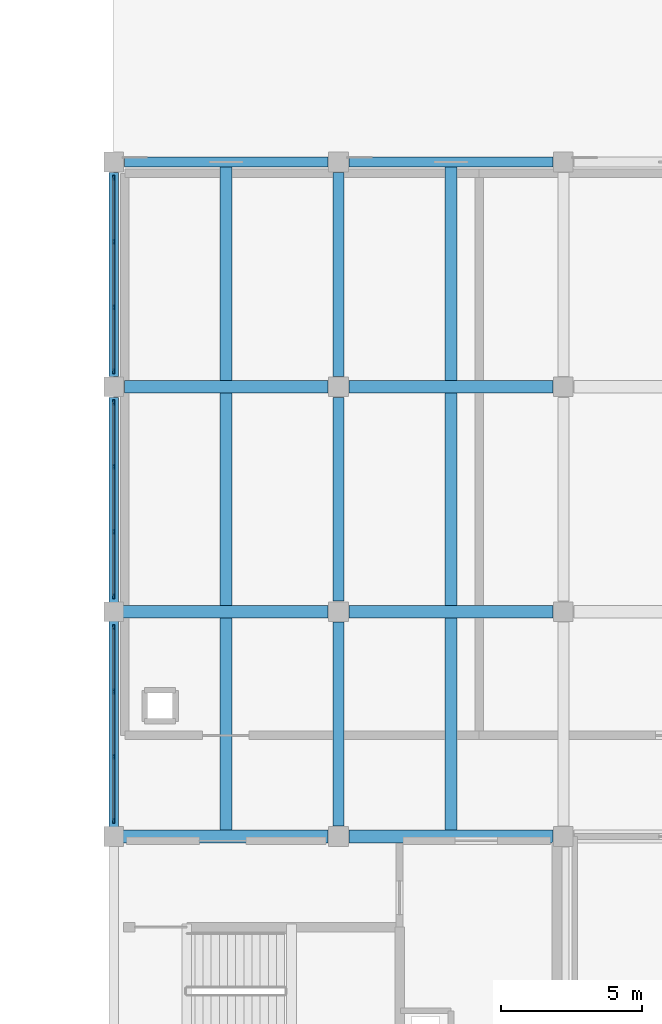
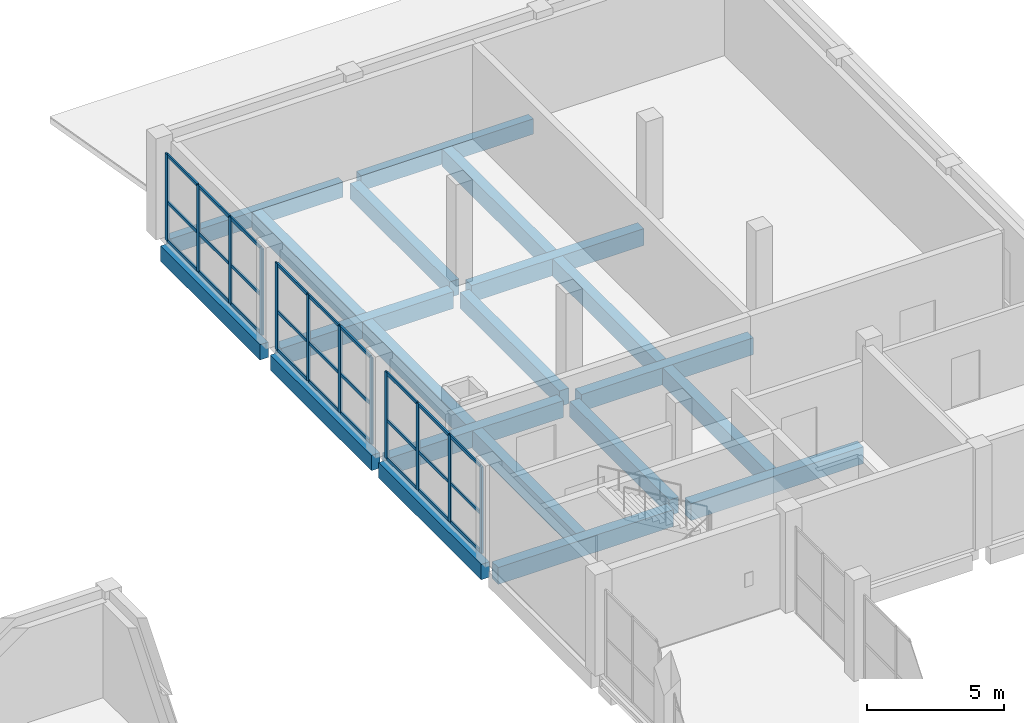
# One storey, part 18 of 45: 39 members, 20 beams, 3 elements without a shape of their own.
"""IFC4 building model written with IfcOpenShell, lengths in metres."""

import ifcopenshell
import ifcopenshell.guid

model = None  # the IFC model being written
_history = None  # IfcOwnerHistory: only IFC2X3 demands one
_inside = {}  # id of a spatial element -> (the spatial element, [elements in it])
_under = {}  # id of a project, library or spatial element -> (it, [spatial elements below it])
_declared = {}  # id of a project -> (the project, [libraries it declares])
_typed = {}  # id of a type object -> (the type object, [elements of that type])
_made_of = {}  # id of a material, layer set ... -> (it, [elements and type objects made of it])


def new_model(schema):
    """Start an empty IFC model of exactly this schema.

    Asked for "IFC4X3", IfcOpenShell would pick the latest addendum, in which some entities
    have other attributes; the version numbers below select the first issue.
    IFC2X3 requires an IfcOwnerHistory on every rooted entity: one is made here for all.
    """
    global model, _history
    if schema == "IFC4X3":
        model = ifcopenshell.file(schema_version=(4, 3, 0, 0))
    else:
        model = ifcopenshell.file(schema=schema)
    _inside.clear()
    _under.clear()
    _declared.clear()
    _typed.clear()
    _made_of.clear()
    _history = None
    if model.schema == "IFC2X3":
        org = make("IfcOrganization", Name="unknown")
        user = make(
            "IfcPersonAndOrganization",
            ThePerson=make("IfcPerson", FamilyName="unknown"),
            TheOrganization=org,
        )
        app = make(
            "IfcApplication",
            ApplicationDeveloper=org,
            Version="unknown",
            ApplicationFullName="unknown",
            ApplicationIdentifier="unknown",
        )
        _history = make(
            "IfcOwnerHistory",
            OwningUser=user,
            OwningApplication=app,
            ChangeAction="ADDED",
            CreationDate=0,
        )
    return model


def make(cls, **values):
    """One entity of the class cls with the attributes given. An attribute that is None is left unset."""
    return model.create_entity(
        cls, **{name: value for name, value in values.items() if value is not None}
    )


def rooted(cls, **values):
    """An entity with a GlobalId (a new one), such as an element, a storey or a relation."""
    return make(cls, GlobalId=ifcopenshell.guid.new(), OwnerHistory=_history, **values)


def si_unit(unit_type, name, prefix=None):
    """IfcSIUnit, for example si_unit("LENGTHUNIT", "METRE", prefix="MILLI")."""
    return make("IfcSIUnit", UnitType=unit_type, Prefix=prefix, Name=name)


def assignment(units):
    """IfcUnitAssignment: the units of a project."""
    return None if units is None else make("IfcUnitAssignment", Units=units)


def point(xyz):
    """IfcCartesianPoint."""
    return None if xyz is None else make("IfcCartesianPoint", Coordinates=xyz)


def direction(xyz):
    """IfcDirection."""
    return None if xyz is None else make("IfcDirection", DirectionRatios=xyz)


def frame(location, z_axis=None, x_axis=None):
    """IfcAxis2Placement3D, a coordinate frame: its origin and axes. An axis left out is left unset."""
    return make(
        "IfcAxis2Placement3D",
        Location=point(location),
        Axis=direction(z_axis),
        RefDirection=direction(x_axis),
    )


def frame_2d(location, x_axis=None):
    """IfcAxis2Placement2D, a coordinate frame in the plane: its origin and x axis."""
    return make(
        "IfcAxis2Placement2D", Location=point(location), RefDirection=direction(x_axis)
    )


def origin():
    """The frame at (0, 0, 0) with its axes left unset."""
    return frame((0.0, 0.0, 0.0))


def origin_2d():
    """The frame at (0, 0) in the plane with its x axis left unset."""
    return frame_2d((0.0, 0.0))


def place(relative_to, where):
    """IfcLocalPlacement: puts the frame where relative to a parent placement (None: the world)."""
    return make(
        "IfcLocalPlacement", PlacementRelTo=relative_to, RelativePlacement=where
    )


def context(
    kind, dimensions, precision=None, world=None, true_north=None, identifier=None
):
    """IfcGeometricRepresentationContext, for example the 3D "Model" context."""
    return make(
        "IfcGeometricRepresentationContext",
        ContextIdentifier=identifier,
        ContextType=kind,
        CoordinateSpaceDimension=dimensions,
        Precision=precision,
        WorldCoordinateSystem=world,
        TrueNorth=true_north,
    )


def subcontext(parent, identifier, kind, view, scale=None):
    """IfcGeometricRepresentationSubContext, for example "Body" below "Model"."""
    return make(
        "IfcGeometricRepresentationSubContext",
        ContextIdentifier=identifier,
        ContextType=kind,
        ParentContext=parent,
        TargetScale=scale,
        TargetView=view,
    )


def project(units=None, contexts=None):
    """IfcProject with its units and contexts."""
    return rooted(
        "IfcProject",
        Name="project",
        RepresentationContexts=contexts,
        UnitsInContext=assignment(units),
    )


def spatial(cls, under=None, at=None, **own):
    """A site, building, storey or space (cls), placed at a placement, below another one or the project."""
    s = rooted(cls, ObjectPlacement=at, **own)
    if under is not None:
        _under.setdefault(under.id(), (under, []))[1].append(s)
    return s


def profile(cls, at=None, kind="AREA", **sizes):
    """A parametric profile (cls). Its sizes go by their IFC names, for example OverallWidth=200.0."""
    return make(cls, ProfileType=kind, Position=at, **sizes)


def rectangle(**sizes):
    """IfcRectangleProfileDef."""
    return profile("IfcRectangleProfileDef", **sizes)


def extrude(swept, where, along, depth):
    """IfcExtrudedAreaSolid: the profile swept, set in the frame where, extruded along a direction by depth."""
    return make(
        "IfcExtrudedAreaSolid",
        SweptArea=swept,
        Position=where,
        ExtrudedDirection=direction(along),
        Depth=depth,
    )


def shape(context_of_items, identifier, shape_type, items):
    """IfcShapeRepresentation: the items that make up one representation, for example the "Body"."""
    return make(
        "IfcShapeRepresentation",
        ContextOfItems=context_of_items,
        RepresentationIdentifier=identifier,
        RepresentationType=shape_type,
        Items=items,
    )


def material(Name=None, Category=None):
    """IfcMaterial."""
    return make("IfcMaterial", Name=Name, Category=Category)


def layer(
    of_material, thickness, ventilated=None, Name=None, Category=None, Priority=None
):
    """IfcMaterialLayer: one layer of a wall or slab, of a material (None: an air gap)."""
    return make(
        "IfcMaterialLayer",
        Material=of_material,
        LayerThickness=thickness,
        IsVentilated=ventilated,
        Name=Name,
        Category=Category,
        Priority=Priority,
    )


def layer_set(layers, Name=None):
    """IfcMaterialLayerSet."""
    return make("IfcMaterialLayerSet", MaterialLayers=layers, LayerSetName=Name)


def material_profile(
    of_material, cross_section, Name=None, Category=None, Priority=None
):
    """IfcMaterialProfile: a cross section and its material."""
    return make(
        "IfcMaterialProfile",
        Name=Name,
        Material=of_material,
        Profile=cross_section,
        Priority=Priority,
        Category=Category,
    )


def profile_set(profiles, Name=None, composite=None):
    """IfcMaterialProfileSet."""
    return make(
        "IfcMaterialProfileSet",
        Name=Name,
        MaterialProfiles=profiles,
        CompositeProfile=composite,
    )


def made_of(thing, what):
    """Note that an element or type object is made of a material, layer set ...; save() writes the relation."""
    if what is not None:
        _made_of.setdefault(what.id(), (what, []))[1].append(thing)
    return thing


def type_object(cls, material=None, **own):
    """A type object (cls), such as IfcWallType, which elements share."""
    return made_of(rooted(cls, **own), material)


def element(
    cls,
    number,
    at=None,
    inside=None,
    cuts=None,
    type_object=None,
    material=None,
    context=None,
    identifier="Body",
    shape_type=None,
    held_by="IfcProductDefinitionShape",
    body=None,
    shapes=None,
    **own,
):
    """One element of the class cls, such as IfcWall. Its Tag is "e" and its number.

    at: its placement. inside: the storey or other place that contains it. cuts: it is an
    opening in that element (IfcRelVoidsElement). A single representation is given by context,
    identifier, shape_type and body (its items); several are given by shapes. held_by: the class
    of the entity that holds the representations. save() writes the other relations.
    """
    e = rooted(cls, Tag="e%d" % number, ObjectPlacement=at, **own)
    if body is not None:
        shapes = [shape(context, identifier, shape_type, body)]
    if shapes is not None:
        e.Representation = make(held_by, Representations=shapes)
    if inside is not None:
        _inside.setdefault(inside.id(), (inside, []))[1].append(e)
    if cuts is not None:
        rooted(
            "IfcRelVoidsElement", RelatingBuildingElement=cuts, RelatedOpeningElement=e
        )
    if type_object is not None:
        _typed.setdefault(type_object.id(), (type_object, []))[1].append(e)
    return made_of(e, material)


def aggregate(whole, parts):
    """IfcRelAggregates: a whole, such as a stair, and the parts it consists of."""
    return rooted("IfcRelAggregates", RelatingObject=whole, RelatedObjects=parts)


def save(model, path):
    """Write the relations noted so far, then the file.

    IfcRelAggregates (storeys below a building ...), IfcRelContainedInSpatialStructure (elements
    in a storey), IfcRelDefinesByType, IfcRelAssociatesMaterial and IfcRelDeclares: one each for
    every whole, place, type object, material and project.
    """
    for whole, parts in _under.values():
        aggregate(whole, parts)
    for where, things in _inside.values():
        rooted(
            "IfcRelContainedInSpatialStructure",
            RelatedElements=things,
            RelatingStructure=where,
        )
    for kind, things in _typed.values():
        rooted("IfcRelDefinesByType", RelatedObjects=things, RelatingType=kind)
    for what, things in _made_of.values():
        rooted("IfcRelAssociatesMaterial", RelatedObjects=things, RelatingMaterial=what)
    for by, libraries in _declared.values():
        rooted("IfcRelDeclares", RelatingContext=by, RelatedDefinitions=libraries)
    model.write(path)


model = new_model("IFC4")

# Units and contexts
model_context = context("Model", 3, precision=1e-05, world=origin(), true_north=direction((0.0, 1.0)))
body_context = subcontext(model_context, "Body", "Model", "MODEL_VIEW")
ifc_project = project(units=[si_unit("LENGTHUNIT", "METRE"), si_unit("AREAUNIT", "SQUARE_METRE"), si_unit("VOLUMEUNIT", "CUBIC_METRE"), si_unit("PLANEANGLEUNIT", "RADIAN"), si_unit("MASSUNIT", "GRAM", prefix="KILO")], contexts=[model_context])

# Site, building, storey
site_placement = place(None, origin())
site = spatial("IfcSite", under=ifc_project, at=site_placement, CompositionType="ELEMENT")
building_placement = place(site_placement, origin())
building = spatial("IfcBuilding", under=site, at=building_placement, Name="Qorikala Patio Media Centre", CompositionType="ELEMENT")
storey_placement = place(building_placement, frame((0.0, 0.0, 9.89990234375)))
storey = spatial("IfcBuildingStorey", under=building, at=storey_placement, Name="L02", CompositionType="ELEMENT", Elevation=9.89990234375)

# Beams
ifc_material_1 = material(Name="Concrete C35/45", Category="concrete")
ifc_material_profile_1 = material_profile(ifc_material_1, rectangle(XDim=0.39990234375, YDim=0.699951171875, at=origin_2d()), Name="RC 400x700")
ifc_profile_set_1 = profile_set([ifc_material_profile_1], Name="Concrete C35/45")
beam_type_1 = type_object("IfcBeamType", Name="BM-G400X700", PredefinedType="BEAM", material=ifc_profile_set_1)
for number, where, z_axis, x_axis, name in (
    (1, (59.0, 72.375, -0.64990234375), (0.0, 1.0, 0.0), (-1.0, 0.0, 0.0), "L02 Grid X=59 Beam 0964"),
    (2, (59.0, 80.375, -0.64990234375), (0.0, 1.0, 0.0), (-1.0, 0.0, 0.0), "L02 Grid X=59 Beam 0965"),
    (3, (59.0, 88.375, -0.64990234375), (0.0, 1.0, 0.0), (-1.0, 0.0, 0.0), "L02 Grid X=59 Beam 0966"),
):
    element("IfcBeam", number, at=place(storey_placement, frame(where, z_axis=z_axis, x_axis=x_axis)), inside=storey, type_object=beam_type_1, Name=name, PredefinedType="BEAM", context=body_context, shape_type="SweptSolid", body=[
        extrude(rectangle(XDim=0.39990234375, YDim=0.699951171875, at=origin_2d()), origin(), (0.0, 0.0, 1.0), 7.25),
    ])
ifc_material_profile_2 = material_profile(ifc_material_1, rectangle(XDim=0.449951171875, YDim=0.75, at=origin_2d()), Name="RC 450x750")
ifc_profile_set_2 = profile_set([ifc_material_profile_2], Name="Concrete C35/45")
beam_type_2 = type_object("IfcBeamType", Name="BM-G450X750", PredefinedType="BEAM", material=ifc_profile_set_2)
beam_1_placement = place(storey_placement, frame((51.260009765625, 72.0, -0.6748046875), z_axis=(1.0, 0.0, 0.0), x_axis=(0.0, 1.0, 0.0)))
element("IfcBeam", 4, at=beam_1_placement, inside=storey, type_object=beam_type_2, Name="L02 Grid 72 Beam 0865", PredefinedType="BEAM", context=body_context, shape_type="SweptSolid", body=[
    extrude(rectangle(XDim=0.449951171875, YDim=0.75, at=origin_2d()), origin(), (0.0, 0.0, 1.0), 7.364990234375),
])
beam_2_placement = place(storey_placement, frame((59.375, 72.0, -0.6748046875), z_axis=(1.0, 0.0, 0.0), x_axis=(0.0, 1.0, 0.0)))
element("IfcBeam", 5, at=beam_2_placement, inside=storey, type_object=beam_type_2, Name="L02 Grid 72 Beam 0866", PredefinedType="BEAM", context=body_context, shape_type="SweptSolid", body=[
    extrude(rectangle(XDim=0.449951171875, YDim=0.75, at=origin_2d()), origin(), (0.0, 0.0, 1.0), 7.25),
])
beam_3_placement = place(storey_placement, frame((51.260009765625, 80.0, -0.6748046875), z_axis=(1.0, 0.0, 0.0), x_axis=(0.0, 1.0, 0.0)))
element("IfcBeam", 6, at=beam_3_placement, inside=storey, type_object=beam_type_2, Name="L02 Grid 80 Beam 0871", PredefinedType="BEAM", context=body_context, shape_type="SweptSolid", body=[
    extrude(rectangle(XDim=0.449951171875, YDim=0.75, at=origin_2d()), origin(), (0.0, 0.0, 1.0), 7.364990234375),
])
for number, where, z_axis, x_axis, name in (
    (7, (59.375, 80.0, -0.6748046875), (1.0, 0.0, 0.0), (0.0, 1.0, 0.0), "L02 Grid 80 Beam 0872"),
    (8, (51.375, 88.0, -0.6748046875), (1.0, 0.0, 0.0), (0.0, 1.0, 0.0), "L02 Grid 88 Beam 0876"),
    (9, (59.375, 88.0, -0.6748046875), (1.0, 0.0, 0.0), (0.0, 1.0, 0.0), "L02 Grid 88 Beam 0877"),
):
    element("IfcBeam", number, at=place(storey_placement, frame(where, z_axis=z_axis, x_axis=x_axis)), inside=storey, type_object=beam_type_2, Name=name, PredefinedType="BEAM", context=body_context, shape_type="SweptSolid", body=[
        extrude(rectangle(XDim=0.449951171875, YDim=0.75, at=origin_2d()), origin(), (0.0, 0.0, 1.0), 7.25),
    ])

# Curtain wall, members
ifc_material_2 = material(Name="Bronze Anodised Aluminium and Low-E Glass", Category="aluminium")
ifc_layer = layer(ifc_material_2, 0.159912109375)
ifc_layer_set = layer_set([ifc_layer], Name="Bronze Anodised Aluminium and Low-E Glass")
curtain_wall_type = type_object("IfcCurtainWallType", Name="CW-PAT-696X385", PredefinedType="USERDEFINED", material=ifc_layer_set)
curtain_wall_1_placement = place(storey_placement, origin())
curtain_wall_1 = element("IfcCurtainWall", 10, at=curtain_wall_1_placement, inside=storey, type_object=curtain_wall_type, Name="L02 Courtyard Curtain Wall 051", ObjectType="COURTYARD CURTAIN WALL", PredefinedType="USERDEFINED")
ifc_material_3 = material(Name="Bronze Anodised Aluminium", Category="aluminium")
ifc_material_profile_3 = material_profile(ifc_material_3, rectangle(XDim=0.070068359375, YDim=0.179931640625, at=origin_2d()), Name="ALU MULLION 70x180")
ifc_profile_set_3 = profile_set([ifc_material_profile_3], Name="Bronze Anodised Aluminium")
member_type_1 = type_object("IfcMemberType", Name="CWM-70X180", PredefinedType="MULLION", material=ifc_profile_set_3)
member_1_placement = place(storey_placement, frame((51.0, 72.554931640625, 0.0), z_axis=(0.0, 0.0, 1.0), x_axis=(-1.0, 0.0, 0.0)))
member_1 = element("IfcMember", 11, at=member_1_placement, type_object=member_type_1, Name="CWP696385 mullion 1", PredefinedType="MULLION", context=body_context, shape_type="SweptSolid", body=[
    extrude(rectangle(XDim=0.070068359375, YDim=0.179931640625, at=origin_2d()), origin(), (0.0, 0.0, 1.0), 3.85009765625),
])
member_2_placement = place(storey_placement, frame((51.0, 74.840087890625, 0.0), z_axis=(0.0, 0.0, 1.0), x_axis=(-1.0, 0.0, 0.0)))
member_2 = element("IfcMember", 12, at=member_2_placement, type_object=member_type_1, Name="CWP696385 mullion 2", PredefinedType="MULLION", context=body_context, shape_type="SweptSolid", body=[
    extrude(rectangle(XDim=0.070068359375, YDim=0.179931640625, at=origin_2d()), origin(), (0.0, 0.0, 1.0), 3.85009765625),
])
member_3_placement = place(storey_placement, frame((51.0, 77.159912109375, 0.0), z_axis=(0.0, 0.0, 1.0), x_axis=(-1.0, 0.0, 0.0)))
member_3 = element("IfcMember", 13, at=member_3_placement, type_object=member_type_1, Name="CWP696385 mullion 3", PredefinedType="MULLION", context=body_context, shape_type="SweptSolid", body=[
    extrude(rectangle(XDim=0.070068359375, YDim=0.179931640625, at=origin_2d()), origin(), (0.0, 0.0, 1.0), 3.85009765625),
])
member_4_placement = place(storey_placement, frame((51.0, 79.445068359375, 0.0), z_axis=(0.0, 0.0, 1.0), x_axis=(-1.0, 0.0, 0.0)))
member_4 = element("IfcMember", 14, at=member_4_placement, type_object=member_type_1, Name="CWP696385 mullion 4", PredefinedType="MULLION", context=body_context, shape_type="SweptSolid", body=[
    extrude(rectangle(XDim=0.070068359375, YDim=0.179931640625, at=origin_2d()), origin(), (0.0, 0.0, 1.0), 3.85009765625),
])

curtain_wall_2_placement = place(storey_placement, origin())
curtain_wall_2 = element("IfcCurtainWall", 15, at=curtain_wall_2_placement, inside=storey, type_object=curtain_wall_type, Name="L02 Courtyard Curtain Wall 052", ObjectType="COURTYARD CURTAIN WALL", PredefinedType="USERDEFINED")
member_5_placement = place(storey_placement, frame((51.0, 80.554931640625, 0.0), z_axis=(0.0, 0.0, 1.0), x_axis=(-1.0, 0.0, 0.0)))
member_5 = element("IfcMember", 16, at=member_5_placement, type_object=member_type_1, Name="CWP696385 mullion 1", PredefinedType="MULLION", context=body_context, shape_type="SweptSolid", body=[
    extrude(rectangle(XDim=0.070068359375, YDim=0.179931640625, at=origin_2d()), origin(), (0.0, 0.0, 1.0), 3.85009765625),
])
member_6_placement = place(storey_placement, frame((51.0, 82.840087890625, 0.0), z_axis=(0.0, 0.0, 1.0), x_axis=(-1.0, 0.0, 0.0)))
member_6 = element("IfcMember", 17, at=member_6_placement, type_object=member_type_1, Name="CWP696385 mullion 2", PredefinedType="MULLION", context=body_context, shape_type="SweptSolid", body=[
    extrude(rectangle(XDim=0.070068359375, YDim=0.179931640625, at=origin_2d()), origin(), (0.0, 0.0, 1.0), 3.85009765625),
])
member_7_placement = place(storey_placement, frame((51.0, 85.159912109375, 0.0), z_axis=(0.0, 0.0, 1.0), x_axis=(-1.0, 0.0, 0.0)))
member_7 = element("IfcMember", 18, at=member_7_placement, type_object=member_type_1, Name="CWP696385 mullion 3", PredefinedType="MULLION", context=body_context, shape_type="SweptSolid", body=[
    extrude(rectangle(XDim=0.070068359375, YDim=0.179931640625, at=origin_2d()), origin(), (0.0, 0.0, 1.0), 3.85009765625),
])
member_8_placement = place(storey_placement, frame((51.0, 87.445068359375, 0.0), z_axis=(0.0, 0.0, 1.0), x_axis=(-1.0, 0.0, 0.0)))
member_8 = element("IfcMember", 19, at=member_8_placement, type_object=member_type_1, Name="CWP696385 mullion 4", PredefinedType="MULLION", context=body_context, shape_type="SweptSolid", body=[
    extrude(rectangle(XDim=0.070068359375, YDim=0.179931640625, at=origin_2d()), origin(), (0.0, 0.0, 1.0), 3.85009765625),
])

curtain_wall_3_placement = place(storey_placement, origin())
curtain_wall_3 = element("IfcCurtainWall", 20, at=curtain_wall_3_placement, inside=storey, type_object=curtain_wall_type, Name="L02 Courtyard Curtain Wall 053", ObjectType="COURTYARD CURTAIN WALL", PredefinedType="USERDEFINED")
member_9_placement = place(storey_placement, frame((51.0, 88.554931640625, 0.0), z_axis=(0.0, 0.0, 1.0), x_axis=(-1.0, 0.0, 0.0)))
member_9 = element("IfcMember", 21, at=member_9_placement, type_object=member_type_1, Name="CWP696385 mullion 1", PredefinedType="MULLION", context=body_context, shape_type="SweptSolid", body=[
    extrude(rectangle(XDim=0.070068359375, YDim=0.179931640625, at=origin_2d()), origin(), (0.0, 0.0, 1.0), 3.85009765625),
])
member_10_placement = place(storey_placement, frame((51.0, 90.840087890625, 0.0), z_axis=(0.0, 0.0, 1.0), x_axis=(-1.0, 0.0, 0.0)))
member_10 = element("IfcMember", 22, at=member_10_placement, type_object=member_type_1, Name="CWP696385 mullion 2", PredefinedType="MULLION", context=body_context, shape_type="SweptSolid", body=[
    extrude(rectangle(XDim=0.070068359375, YDim=0.179931640625, at=origin_2d()), origin(), (0.0, 0.0, 1.0), 3.85009765625),
])
member_11_placement = place(storey_placement, frame((51.0, 93.159912109375, 0.0), z_axis=(0.0, 0.0, 1.0), x_axis=(-1.0, 0.0, 0.0)))
member_11 = element("IfcMember", 23, at=member_11_placement, type_object=member_type_1, Name="CWP696385 mullion 3", PredefinedType="MULLION", context=body_context, shape_type="SweptSolid", body=[
    extrude(rectangle(XDim=0.070068359375, YDim=0.179931640625, at=origin_2d()), origin(), (0.0, 0.0, 1.0), 3.85009765625),
])
member_12_placement = place(storey_placement, frame((51.0, 95.445068359375, 0.0), z_axis=(0.0, 0.0, 1.0), x_axis=(-1.0, 0.0, 0.0)))
member_12 = element("IfcMember", 24, at=member_12_placement, type_object=member_type_1, Name="CWP696385 mullion 4", PredefinedType="MULLION", context=body_context, shape_type="SweptSolid", body=[
    extrude(rectangle(XDim=0.070068359375, YDim=0.179931640625, at=origin_2d()), origin(), (0.0, 0.0, 1.0), 3.85009765625),
])

# Member
ifc_material_profile_4 = material_profile(ifc_material_3, rectangle(XDim=0.070068359375, YDim=0.139892578125, at=origin_2d()), Name="ALU TRANSOM 70x140")
ifc_profile_set_4 = profile_set([ifc_material_profile_4], Name="Bronze Anodised Aluminium")
member_type_2 = type_object("IfcMemberType", Name="CWT-70X140", PredefinedType="USERDEFINED", material=ifc_profile_set_4)
member_13_placement = place(storey_placement, frame((51.0, 72.590087890625, 0.03515625), z_axis=(0.0, 1.0, 0.0), x_axis=(-1.0, 0.0, 0.0)))
member_13 = element("IfcMember", 25, at=member_13_placement, type_object=member_type_2, Name="CWP696385 transom 1.1", ObjectType="TRANSOM", PredefinedType="USERDEFINED", context=body_context, shape_type="SweptSolid", body=[
    extrude(rectangle(XDim=0.070068359375, YDim=0.139892578125, at=origin_2d()), origin(), (0.0, 0.0, 1.0), 2.21484375),
])

member_14_placement = place(storey_placement, frame((51.0, 72.590087890625, 1.732666015625), z_axis=(0.0, 1.0, 0.0), x_axis=(-1.0, 0.0, 0.0)))
member_14 = element("IfcMember", 26, at=member_14_placement, type_object=member_type_2, Name="CWP696385 transom 1.2", ObjectType="TRANSOM", PredefinedType="USERDEFINED", context=body_context, shape_type="SweptSolid", body=[
    extrude(rectangle(XDim=0.070068359375, YDim=0.139892578125, at=origin_2d()), origin(), (0.0, 0.0, 1.0), 2.21484375),
])

member_15_placement = place(storey_placement, frame((51.0, 72.590087890625, 3.815185546875), z_axis=(0.0, 1.0, 0.0), x_axis=(-1.0, 0.0, 0.0)))
member_15 = element("IfcMember", 27, at=member_15_placement, type_object=member_type_2, Name="CWP696385 transom 1.3", ObjectType="TRANSOM", PredefinedType="USERDEFINED", context=body_context, shape_type="SweptSolid", body=[
    extrude(rectangle(XDim=0.070068359375, YDim=0.139892578125, at=origin_2d()), origin(), (0.0, 0.0, 1.0), 2.21484375),
])

member_16_placement = place(storey_placement, frame((51.0, 74.875, 0.03515625), z_axis=(0.0, 1.0, 0.0), x_axis=(-1.0, 0.0, 0.0)))
member_16 = element("IfcMember", 28, at=member_16_placement, type_object=member_type_2, Name="CWP696385 transom 2.1", ObjectType="TRANSOM", PredefinedType="USERDEFINED", context=body_context, shape_type="SweptSolid", body=[
    extrude(rectangle(XDim=0.070068359375, YDim=0.139892578125, at=origin_2d()), origin(), (0.0, 0.0, 1.0), 2.25),
])

member_17_placement = place(storey_placement, frame((51.0, 74.875, 1.732666015625), z_axis=(0.0, 1.0, 0.0), x_axis=(-1.0, 0.0, 0.0)))
member_17 = element("IfcMember", 29, at=member_17_placement, type_object=member_type_2, Name="CWP696385 transom 2.2", ObjectType="TRANSOM", PredefinedType="USERDEFINED", context=body_context, shape_type="SweptSolid", body=[
    extrude(rectangle(XDim=0.070068359375, YDim=0.139892578125, at=origin_2d()), origin(), (0.0, 0.0, 1.0), 2.25),
])

member_18_placement = place(storey_placement, frame((51.0, 74.875, 3.815185546875), z_axis=(0.0, 1.0, 0.0), x_axis=(-1.0, 0.0, 0.0)))
member_18 = element("IfcMember", 30, at=member_18_placement, type_object=member_type_2, Name="CWP696385 transom 2.3", ObjectType="TRANSOM", PredefinedType="USERDEFINED", context=body_context, shape_type="SweptSolid", body=[
    extrude(rectangle(XDim=0.070068359375, YDim=0.139892578125, at=origin_2d()), origin(), (0.0, 0.0, 1.0), 2.25),
])

member_19_placement = place(storey_placement, frame((51.0, 77.195068359375, 0.03515625), z_axis=(0.0, 1.0, 0.0), x_axis=(-1.0, 0.0, 0.0)))
member_19 = element("IfcMember", 31, at=member_19_placement, type_object=member_type_2, Name="CWP696385 transom 3.1", ObjectType="TRANSOM", PredefinedType="USERDEFINED", context=body_context, shape_type="SweptSolid", body=[
    extrude(rectangle(XDim=0.070068359375, YDim=0.139892578125, at=origin_2d()), origin(), (0.0, 0.0, 1.0), 2.21484375),
])

member_20_placement = place(storey_placement, frame((51.0, 77.195068359375, 1.732666015625), z_axis=(0.0, 1.0, 0.0), x_axis=(-1.0, 0.0, 0.0)))
member_20 = element("IfcMember", 32, at=member_20_placement, type_object=member_type_2, Name="CWP696385 transom 3.2", ObjectType="TRANSOM", PredefinedType="USERDEFINED", context=body_context, shape_type="SweptSolid", body=[
    extrude(rectangle(XDim=0.070068359375, YDim=0.139892578125, at=origin_2d()), origin(), (0.0, 0.0, 1.0), 2.21484375),
])

member_21_placement = place(storey_placement, frame((51.0, 77.195068359375, 3.815185546875), z_axis=(0.0, 1.0, 0.0), x_axis=(-1.0, 0.0, 0.0)))
member_21 = element("IfcMember", 33, at=member_21_placement, type_object=member_type_2, Name="CWP696385 transom 3.3", ObjectType="TRANSOM", PredefinedType="USERDEFINED", context=body_context, shape_type="SweptSolid", body=[
    extrude(rectangle(XDim=0.070068359375, YDim=0.139892578125, at=origin_2d()), origin(), (0.0, 0.0, 1.0), 2.21484375),
])

aggregate(curtain_wall_1, [member_1, member_2, member_3, member_4, member_13, member_14, member_15, member_16, member_17, member_18, member_19, member_20, member_21])

member_22_placement = place(storey_placement, frame((51.0, 80.590087890625, 0.03515625), z_axis=(0.0, 1.0, 0.0), x_axis=(-1.0, 0.0, 0.0)))
member_22 = element("IfcMember", 34, at=member_22_placement, type_object=member_type_2, Name="CWP696385 transom 1.1", ObjectType="TRANSOM", PredefinedType="USERDEFINED", context=body_context, shape_type="SweptSolid", body=[
    extrude(rectangle(XDim=0.070068359375, YDim=0.139892578125, at=origin_2d()), origin(), (0.0, 0.0, 1.0), 2.21484375),
])

member_23_placement = place(storey_placement, frame((51.0, 80.590087890625, 1.732666015625), z_axis=(0.0, 1.0, 0.0), x_axis=(-1.0, 0.0, 0.0)))
member_23 = element("IfcMember", 35, at=member_23_placement, type_object=member_type_2, Name="CWP696385 transom 1.2", ObjectType="TRANSOM", PredefinedType="USERDEFINED", context=body_context, shape_type="SweptSolid", body=[
    extrude(rectangle(XDim=0.070068359375, YDim=0.139892578125, at=origin_2d()), origin(), (0.0, 0.0, 1.0), 2.21484375),
])

member_24_placement = place(storey_placement, frame((51.0, 80.590087890625, 3.815185546875), z_axis=(0.0, 1.0, 0.0), x_axis=(-1.0, 0.0, 0.0)))
member_24 = element("IfcMember", 36, at=member_24_placement, type_object=member_type_2, Name="CWP696385 transom 1.3", ObjectType="TRANSOM", PredefinedType="USERDEFINED", context=body_context, shape_type="SweptSolid", body=[
    extrude(rectangle(XDim=0.070068359375, YDim=0.139892578125, at=origin_2d()), origin(), (0.0, 0.0, 1.0), 2.21484375),
])

member_25_placement = place(storey_placement, frame((51.0, 82.875, 0.03515625), z_axis=(0.0, 1.0, 0.0), x_axis=(-1.0, 0.0, 0.0)))
member_25 = element("IfcMember", 37, at=member_25_placement, type_object=member_type_2, Name="CWP696385 transom 2.1", ObjectType="TRANSOM", PredefinedType="USERDEFINED", context=body_context, shape_type="SweptSolid", body=[
    extrude(rectangle(XDim=0.070068359375, YDim=0.139892578125, at=origin_2d()), origin(), (0.0, 0.0, 1.0), 2.25),
])

member_26_placement = place(storey_placement, frame((51.0, 82.875, 1.732666015625), z_axis=(0.0, 1.0, 0.0), x_axis=(-1.0, 0.0, 0.0)))
member_26 = element("IfcMember", 38, at=member_26_placement, type_object=member_type_2, Name="CWP696385 transom 2.2", ObjectType="TRANSOM", PredefinedType="USERDEFINED", context=body_context, shape_type="SweptSolid", body=[
    extrude(rectangle(XDim=0.070068359375, YDim=0.139892578125, at=origin_2d()), origin(), (0.0, 0.0, 1.0), 2.25),
])

member_27_placement = place(storey_placement, frame((51.0, 82.875, 3.815185546875), z_axis=(0.0, 1.0, 0.0), x_axis=(-1.0, 0.0, 0.0)))
member_27 = element("IfcMember", 39, at=member_27_placement, type_object=member_type_2, Name="CWP696385 transom 2.3", ObjectType="TRANSOM", PredefinedType="USERDEFINED", context=body_context, shape_type="SweptSolid", body=[
    extrude(rectangle(XDim=0.070068359375, YDim=0.139892578125, at=origin_2d()), origin(), (0.0, 0.0, 1.0), 2.25),
])

member_28_placement = place(storey_placement, frame((51.0, 85.195068359375, 0.03515625), z_axis=(0.0, 1.0, 0.0), x_axis=(-1.0, 0.0, 0.0)))
member_28 = element("IfcMember", 40, at=member_28_placement, type_object=member_type_2, Name="CWP696385 transom 3.1", ObjectType="TRANSOM", PredefinedType="USERDEFINED", context=body_context, shape_type="SweptSolid", body=[
    extrude(rectangle(XDim=0.070068359375, YDim=0.139892578125, at=origin_2d()), origin(), (0.0, 0.0, 1.0), 2.21484375),
])

member_29_placement = place(storey_placement, frame((51.0, 85.195068359375, 1.732666015625), z_axis=(0.0, 1.0, 0.0), x_axis=(-1.0, 0.0, 0.0)))
member_29 = element("IfcMember", 41, at=member_29_placement, type_object=member_type_2, Name="CWP696385 transom 3.2", ObjectType="TRANSOM", PredefinedType="USERDEFINED", context=body_context, shape_type="SweptSolid", body=[
    extrude(rectangle(XDim=0.070068359375, YDim=0.139892578125, at=origin_2d()), origin(), (0.0, 0.0, 1.0), 2.21484375),
])

member_30_placement = place(storey_placement, frame((51.0, 85.195068359375, 3.815185546875), z_axis=(0.0, 1.0, 0.0), x_axis=(-1.0, 0.0, 0.0)))
member_30 = element("IfcMember", 42, at=member_30_placement, type_object=member_type_2, Name="CWP696385 transom 3.3", ObjectType="TRANSOM", PredefinedType="USERDEFINED", context=body_context, shape_type="SweptSolid", body=[
    extrude(rectangle(XDim=0.070068359375, YDim=0.139892578125, at=origin_2d()), origin(), (0.0, 0.0, 1.0), 2.21484375),
])

aggregate(curtain_wall_2, [member_5, member_6, member_7, member_8, member_22, member_23, member_24, member_25, member_26, member_27, member_28, member_29, member_30])

member_31_placement = place(storey_placement, frame((51.0, 88.590087890625, 0.03515625), z_axis=(0.0, 1.0, 0.0), x_axis=(-1.0, 0.0, 0.0)))
member_31 = element("IfcMember", 43, at=member_31_placement, type_object=member_type_2, Name="CWP696385 transom 1.1", ObjectType="TRANSOM", PredefinedType="USERDEFINED", context=body_context, shape_type="SweptSolid", body=[
    extrude(rectangle(XDim=0.070068359375, YDim=0.139892578125, at=origin_2d()), origin(), (0.0, 0.0, 1.0), 2.21484375),
])

member_32_placement = place(storey_placement, frame((51.0, 88.590087890625, 1.732666015625), z_axis=(0.0, 1.0, 0.0), x_axis=(-1.0, 0.0, 0.0)))
member_32 = element("IfcMember", 44, at=member_32_placement, type_object=member_type_2, Name="CWP696385 transom 1.2", ObjectType="TRANSOM", PredefinedType="USERDEFINED", context=body_context, shape_type="SweptSolid", body=[
    extrude(rectangle(XDim=0.070068359375, YDim=0.139892578125, at=origin_2d()), origin(), (0.0, 0.0, 1.0), 2.21484375),
])

member_33_placement = place(storey_placement, frame((51.0, 88.590087890625, 3.815185546875), z_axis=(0.0, 1.0, 0.0), x_axis=(-1.0, 0.0, 0.0)))
member_33 = element("IfcMember", 45, at=member_33_placement, type_object=member_type_2, Name="CWP696385 transom 1.3", ObjectType="TRANSOM", PredefinedType="USERDEFINED", context=body_context, shape_type="SweptSolid", body=[
    extrude(rectangle(XDim=0.070068359375, YDim=0.139892578125, at=origin_2d()), origin(), (0.0, 0.0, 1.0), 2.21484375),
])

member_34_placement = place(storey_placement, frame((51.0, 90.875, 0.03515625), z_axis=(0.0, 1.0, 0.0), x_axis=(-1.0, 0.0, 0.0)))
member_34 = element("IfcMember", 46, at=member_34_placement, type_object=member_type_2, Name="CWP696385 transom 2.1", ObjectType="TRANSOM", PredefinedType="USERDEFINED", context=body_context, shape_type="SweptSolid", body=[
    extrude(rectangle(XDim=0.070068359375, YDim=0.139892578125, at=origin_2d()), origin(), (0.0, 0.0, 1.0), 2.25),
])

member_35_placement = place(storey_placement, frame((51.0, 90.875, 1.732666015625), z_axis=(0.0, 1.0, 0.0), x_axis=(-1.0, 0.0, 0.0)))
member_35 = element("IfcMember", 47, at=member_35_placement, type_object=member_type_2, Name="CWP696385 transom 2.2", ObjectType="TRANSOM", PredefinedType="USERDEFINED", context=body_context, shape_type="SweptSolid", body=[
    extrude(rectangle(XDim=0.070068359375, YDim=0.139892578125, at=origin_2d()), origin(), (0.0, 0.0, 1.0), 2.25),
])

member_36_placement = place(storey_placement, frame((51.0, 90.875, 3.815185546875), z_axis=(0.0, 1.0, 0.0), x_axis=(-1.0, 0.0, 0.0)))
member_36 = element("IfcMember", 48, at=member_36_placement, type_object=member_type_2, Name="CWP696385 transom 2.3", ObjectType="TRANSOM", PredefinedType="USERDEFINED", context=body_context, shape_type="SweptSolid", body=[
    extrude(rectangle(XDim=0.070068359375, YDim=0.139892578125, at=origin_2d()), origin(), (0.0, 0.0, 1.0), 2.25),
])

member_37_placement = place(storey_placement, frame((51.0, 93.195068359375, 0.03515625), z_axis=(0.0, 1.0, 0.0), x_axis=(-1.0, 0.0, 0.0)))
member_37 = element("IfcMember", 49, at=member_37_placement, type_object=member_type_2, Name="CWP696385 transom 3.1", ObjectType="TRANSOM", PredefinedType="USERDEFINED", context=body_context, shape_type="SweptSolid", body=[
    extrude(rectangle(XDim=0.070068359375, YDim=0.139892578125, at=origin_2d()), origin(), (0.0, 0.0, 1.0), 2.21484375),
])

member_38_placement = place(storey_placement, frame((51.0, 93.195068359375, 1.732666015625), z_axis=(0.0, 1.0, 0.0), x_axis=(-1.0, 0.0, 0.0)))
member_38 = element("IfcMember", 50, at=member_38_placement, type_object=member_type_2, Name="CWP696385 transom 3.2", ObjectType="TRANSOM", PredefinedType="USERDEFINED", context=body_context, shape_type="SweptSolid", body=[
    extrude(rectangle(XDim=0.070068359375, YDim=0.139892578125, at=origin_2d()), origin(), (0.0, 0.0, 1.0), 2.21484375),
])

member_39_placement = place(storey_placement, frame((51.0, 93.195068359375, 3.815185546875), z_axis=(0.0, 1.0, 0.0), x_axis=(-1.0, 0.0, 0.0)))
member_39 = element("IfcMember", 51, at=member_39_placement, type_object=member_type_2, Name="CWP696385 transom 3.3", ObjectType="TRANSOM", PredefinedType="USERDEFINED", context=body_context, shape_type="SweptSolid", body=[
    extrude(rectangle(XDim=0.070068359375, YDim=0.139892578125, at=origin_2d()), origin(), (0.0, 0.0, 1.0), 2.21484375),
])

aggregate(curtain_wall_3, [member_9, member_10, member_11, member_12, member_31, member_32, member_33, member_34, member_35, member_36, member_37, member_38, member_39])

# Beams
ifc_material_profile_5 = material_profile(ifc_material_1, rectangle(XDim=0.35009765625, YDim=0.679931640625, at=origin_2d()), Name="RC 350x680")
ifc_profile_set_5 = profile_set([ifc_material_profile_5], Name="Concrete C35/45")
beam_type_3 = type_object("IfcBeamType", Name="SP-350X680", PredefinedType="SPANDREL", material=ifc_profile_set_5)
for number, where, z_axis, x_axis, name in (
    (52, (51.375, 96.0, -0.639892578125), (1.0, 0.0, 0.0), (0.0, 1.0, 0.0), "L02 Grid 96 Beam 0882"),
    (53, (59.375, 96.0, -0.639892578125), (1.0, 0.0, 0.0), (0.0, 1.0, 0.0), "L02 Grid 96 Beam 0883"),
):
    element("IfcBeam", number, at=place(storey_placement, frame(where, z_axis=z_axis, x_axis=x_axis)), inside=storey, type_object=beam_type_3, Name=name, PredefinedType="SPANDREL", context=body_context, shape_type="SweptSolid", body=[
        extrude(rectangle(XDim=0.35009765625, YDim=0.679931640625, at=origin_2d()), origin(), (0.0, 0.0, 1.0), 7.25),
    ])
beam_4_placement = place(storey_placement, frame((51.0, 72.260009765625, -0.639892578125), z_axis=(0.0, 1.0, 0.0), x_axis=(-1.0, 0.0, 0.0)))
element("IfcBeam", 54, at=beam_4_placement, inside=storey, type_object=beam_type_3, Name="L02 Grid X=51 Beam 0953", PredefinedType="SPANDREL", context=body_context, shape_type="SweptSolid", body=[
    extrude(rectangle(XDim=0.35009765625, YDim=0.679931640625, at=origin_2d()), origin(), (0.0, 0.0, 1.0), 7.47998046875),
])
beam_5_placement = place(storey_placement, frame((51.0, 80.260009765625, -0.639892578125), z_axis=(0.0, 1.0, 0.0), x_axis=(-1.0, 0.0, 0.0)))
element("IfcBeam", 55, at=beam_5_placement, inside=storey, type_object=beam_type_3, Name="L02 Grid X=51 Beam 0954", PredefinedType="SPANDREL", context=body_context, shape_type="SweptSolid", body=[
    extrude(rectangle(XDim=0.35009765625, YDim=0.679931640625, at=origin_2d()), origin(), (0.0, 0.0, 1.0), 7.364990234375),
])
beam_6_placement = place(storey_placement, frame((51.0, 88.375, -0.639892578125), z_axis=(0.0, 1.0, 0.0), x_axis=(-1.0, 0.0, 0.0)))
element("IfcBeam", 56, at=beam_6_placement, inside=storey, type_object=beam_type_3, Name="L02 Grid X=51 Beam 0955", PredefinedType="SPANDREL", context=body_context, shape_type="SweptSolid", body=[
    extrude(rectangle(XDim=0.35009765625, YDim=0.679931640625, at=origin_2d()), origin(), (0.0, 0.0, 1.0), 7.25),
])
ifc_material_profile_6 = material_profile(ifc_material_1, rectangle(XDim=0.419921875, YDim=0.780029296875, at=origin_2d()), Name="RC 420x780")
ifc_profile_set_6 = profile_set([ifc_material_profile_6], Name="Concrete C35/45")
beam_type_4 = type_object("IfcBeamType", Name="TB-420X780", PredefinedType="T_BEAM", material=ifc_profile_set_6)
for number, where, z_axis, x_axis, name in (
    (57, (55.0, 72.22509765625, -0.68994140625), (0.0, 1.0, 0.0), (-1.0, 0.0, 0.0), "L02 Secondary Joist 1058"),
    (58, (55.0, 80.22509765625, -0.68994140625), (0.0, 1.0, 0.0), (-1.0, 0.0, 0.0), "L02 Secondary Joist 1059"),
):
    element("IfcBeam", number, at=place(storey_placement, frame(where, z_axis=z_axis, x_axis=x_axis)), inside=storey, type_object=beam_type_4, Name=name, PredefinedType="T_BEAM", context=body_context, shape_type="SweptSolid", body=[
        extrude(rectangle(XDim=0.419921875, YDim=0.780029296875, at=origin_2d()), origin(), (0.0, 0.0, 1.0), 7.5498046875),
    ])
beam_7_placement = place(storey_placement, frame((55.0, 88.22509765625, -0.68994140625), z_axis=(0.0, 1.0, 0.0), x_axis=(-1.0, 0.0, 0.0)))
element("IfcBeam", 59, at=beam_7_placement, inside=storey, type_object=beam_type_4, Name="L02 Secondary Joist 1060", PredefinedType="T_BEAM", context=body_context, shape_type="SweptSolid", body=[
    extrude(rectangle(XDim=0.419921875, YDim=0.780029296875, at=origin_2d()), origin(), (0.0, 0.0, 1.0), 7.599853515625),
])
for number, where, z_axis, x_axis, name in (
    (60, (63.0, 72.22509765625, -0.68994140625), (0.0, 1.0, 0.0), (-1.0, 0.0, 0.0), "L02 Secondary Joist 1064"),
    (61, (63.0, 80.22509765625, -0.68994140625), (0.0, 1.0, 0.0), (-1.0, 0.0, 0.0), "L02 Secondary Joist 1065"),
):
    element("IfcBeam", number, at=place(storey_placement, frame(where, z_axis=z_axis, x_axis=x_axis)), inside=storey, type_object=beam_type_4, Name=name, PredefinedType="T_BEAM", context=body_context, shape_type="SweptSolid", body=[
        extrude(rectangle(XDim=0.419921875, YDim=0.780029296875, at=origin_2d()), origin(), (0.0, 0.0, 1.0), 7.5498046875),
    ])
beam_8_placement = place(storey_placement, frame((63.0, 88.22509765625, -0.68994140625), z_axis=(0.0, 1.0, 0.0), x_axis=(-1.0, 0.0, 0.0)))
element("IfcBeam", 62, at=beam_8_placement, inside=storey, type_object=beam_type_4, Name="L02 Secondary Joist 1066", PredefinedType="T_BEAM", context=body_context, shape_type="SweptSolid", body=[
    extrude(rectangle(XDim=0.419921875, YDim=0.780029296875, at=origin_2d()), origin(), (0.0, 0.0, 1.0), 7.599853515625),
])

save(model, "model.ifc")
